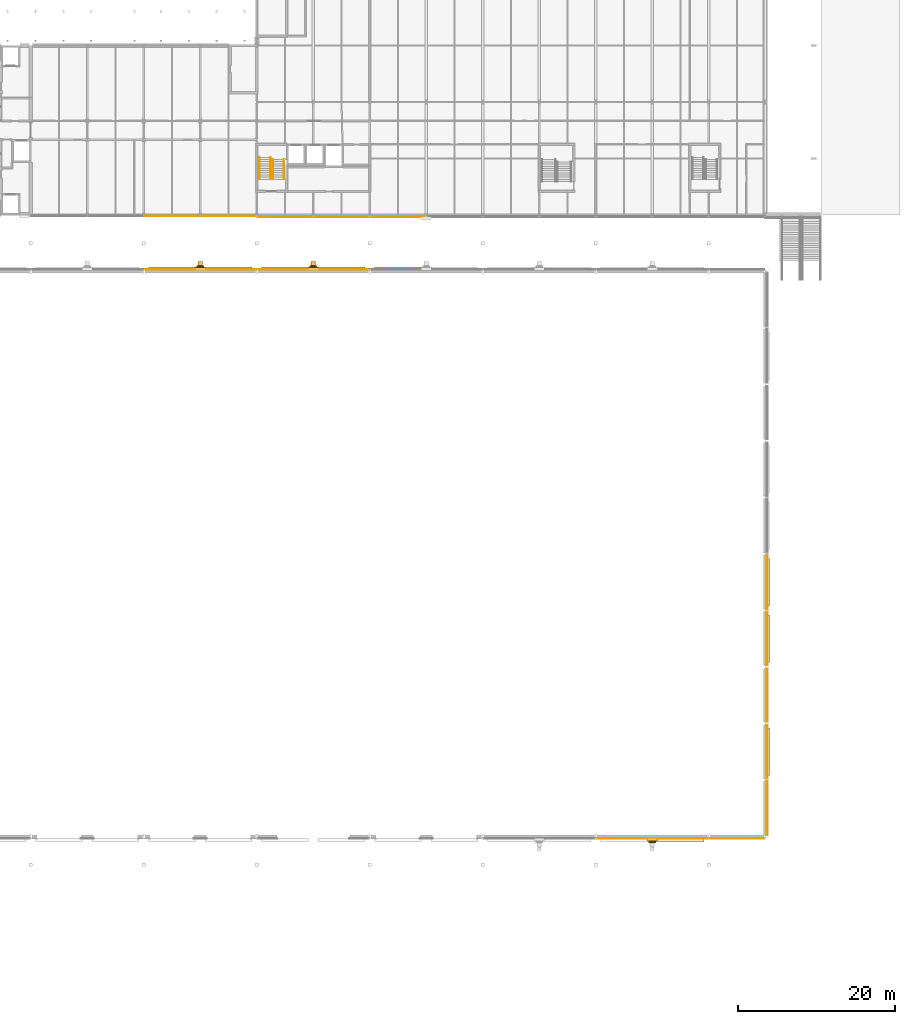
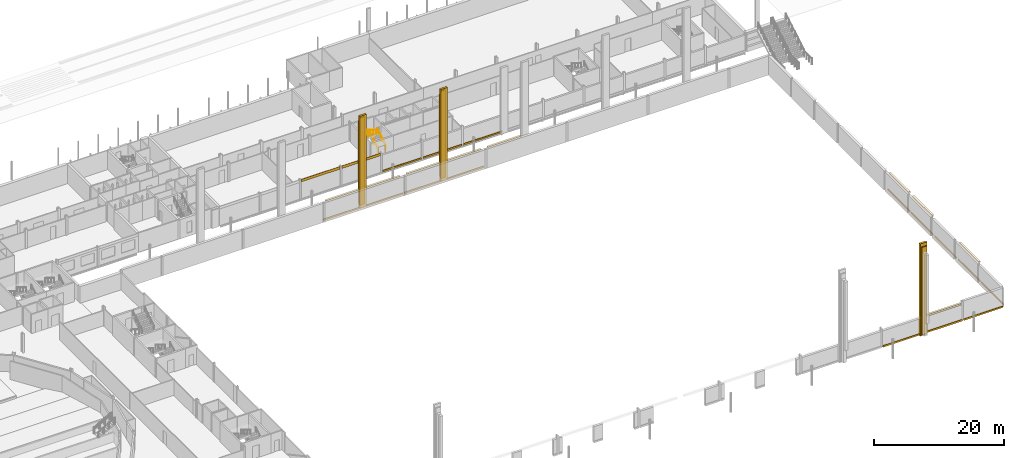
# One storey, part 84 of 90: 31 coverings, 4 railings.
"""IFC4 building model written with IfcOpenShell, lengths in metres."""

from ifc_helpers import new_model, si_unit, direction, frame, origin, origin_2d, place, context, subcontext, project, spatial, rectangle, circle, extrude, material, layer, layer_set, type_object, element, save


model = new_model("IFC4")

# Units and contexts
model_context = context("Model", 3, precision=1e-05, world=origin(), true_north=direction((0.0, 1.0)))
body_context = subcontext(model_context, "Body", "Model", "MODEL_VIEW")
ifc_project = project(units=[si_unit("LENGTHUNIT", "METRE"), si_unit("AREAUNIT", "SQUARE_METRE"), si_unit("VOLUMEUNIT", "CUBIC_METRE"), si_unit("PLANEANGLEUNIT", "RADIAN"), si_unit("MASSUNIT", "GRAM", prefix="KILO")], contexts=[model_context])

# Site, building, storey
site_placement = place(None, origin())
site = spatial("IfcSite", under=ifc_project, at=site_placement, CompositionType="ELEMENT")
building_placement = place(site_placement, origin())
building = spatial("IfcBuilding", under=site, at=building_placement, Name="Kupolbacken Congress Centre", CompositionType="ELEMENT")
storey_placement = place(building_placement, frame((0.0, 0.0, 3.60009765625)))
storey = spatial("IfcBuildingStorey", under=building, at=storey_placement, Name="L01", CompositionType="ELEMENT", Elevation=3.60009765625)

# Coverings
ifc_material_1 = material(Name="Limestone cladding", Category="masonry")
ifc_layer_1 = layer(ifc_material_1, 0.1201171875)
ifc_layer_set_1 = layer_set([ifc_layer_1], Name="Limestone cladding")
covering_type_1 = type_object("IfcCoveringType", Name="CV1 limestone cladding band 120", PredefinedType="CLADDING", material=ifc_layer_set_1)
for number, where, z_axis, x_axis, name in (
    (1, (154.800048828125, 122.18994140625, 0.0), (0.0, 0.0, 1.0), (1.0, 0.0, 0.0), "E/B/S/L01/117/band"),
    (2, (140.39990234375, 122.18994140625, 0.0), (0.0, 0.0, 1.0), (1.0, 0.0, 0.0), "E/BF/S/L01/128/band"),
    (3, (147.60009765625, 122.18994140625, 0.0), (0.0, 0.0, 1.0), (1.0, 0.0, 0.0), "E/BF/S/L01/129/band"),
):
    element("IfcCovering", number, at=place(storey_placement, frame(where, z_axis=z_axis, x_axis=x_axis)), inside=storey, type_object=covering_type_1, Name=name, PredefinedType="CLADDING", context=body_context, shape_type="SweptSolid", body=[
        extrude(rectangle(XDim=6.89990234375, YDim=0.1201171875, at=origin_2d()), origin(), (0.0, 0.0, 1.0), 0.300048828125),
    ])
covering_1_placement = place(storey_placement, frame((126.0, 122.282470703125, 3.119873046875), z_axis=(0.0, 0.0, 1.0), x_axis=(1.0, 0.0, 0.0)))
element("IfcCovering", 4, at=covering_1_placement, inside=storey, type_object=covering_type_1, Name="E/T/S/L01/012/band", PredefinedType="CLADDING", context=body_context, shape_type="SweptSolid", body=[
    extrude(rectangle(XDim=6.89306640625, YDim=0.06494140625, at=origin_2d()), origin(), (0.0, 0.0, 1.0), 0.47998046875),
])
covering_2_placement = place(storey_placement, frame((133.20166015625, 122.282470703125, 3.119873046875), z_axis=(0.0, 0.0, 1.0), x_axis=(1.0, 0.0, 0.0)))
element("IfcCovering", 5, at=covering_2_placement, inside=storey, type_object=covering_type_1, Name="E/T/S/L01/013/band", PredefinedType="CLADDING", context=body_context, shape_type="SweptSolid", body=[
    extrude(rectangle(XDim=6.896484375, YDim=0.06494140625, at=origin_2d()), origin(), (0.0, 0.0, 1.0), 0.47998046875),
])
ifc_material_2 = material(Name="Brick cladding", Category="masonry")
ifc_layer_2 = layer(ifc_material_2, 0.10791015625)
ifc_layer_set_2 = layer_set([ifc_layer_2], Name="Brick cladding")
covering_type_2 = type_object("IfcCoveringType", Name="CV2 brick cladding band 108", PredefinedType="CLADDING", material=ifc_layer_set_2)
covering_3_placement = place(storey_placement, frame((201.864013671875, 46.800048828125, 0.0), z_axis=(0.0, 0.0, 1.0), x_axis=(0.0, 1.0, 0.0)))
element("IfcCovering", 6, at=covering_3_placement, inside=storey, type_object=covering_type_2, Name="E/H/E/L01/152/band", PredefinedType="CLADDING", context=body_context, shape_type="SweptSolid", body=[
    extrude(rectangle(XDim=6.909912109375, YDim=0.10791015625, at=origin_2d()), origin(), (0.0, 0.0, 1.0), 0.300048828125),
])
covering_4_placement = place(storey_placement, frame((201.864013671875, 53.949951171875, 0.0), z_axis=(0.0, 0.0, 1.0), x_axis=(0.0, 1.0, 0.0)))
element("IfcCovering", 7, at=covering_4_placement, inside=storey, type_object=covering_type_2, Name="E/H/E/L01/153/band", PredefinedType="CLADDING", context=body_context, shape_type="SweptSolid", body=[
    extrude(rectangle(XDim=6.81005859375, YDim=0.10791015625, at=origin_2d()), origin(), (0.0, 0.0, 1.0), 0.300048828125),
])
covering_5_placement = place(storey_placement, frame((201.864013671875, 61.199951171875, 0.0), z_axis=(0.0, 0.0, 1.0), x_axis=(0.0, 1.0, 0.0)))
element("IfcCovering", 8, at=covering_5_placement, inside=storey, type_object=covering_type_2, Name="E/H/E/L01/154/band", PredefinedType="CLADDING", context=body_context, shape_type="SweptSolid", body=[
    extrude(rectangle(XDim=6.7099609375, YDim=0.10791015625, at=origin_2d()), origin(), (0.0, 0.0, 1.0), 0.300048828125),
])
covering_6_placement = place(storey_placement, frame((201.864013671875, 68.449951171875, 0.0), z_axis=(0.0, 0.0, 1.0), x_axis=(0.0, 1.0, 0.0)))
element("IfcCovering", 9, at=covering_6_placement, inside=storey, type_object=covering_type_2, Name="E/H/E/L01/155/band", PredefinedType="CLADDING", context=body_context, shape_type="SweptSolid", body=[
    extrude(rectangle(XDim=6.81005859375, YDim=0.10791015625, at=origin_2d()), origin(), (0.0, 0.0, 1.0), 0.300048828125),
])
covering_7_placement = place(storey_placement, frame((201.864013671875, 75.60009765625, 0.0), z_axis=(0.0, 0.0, 1.0), x_axis=(0.0, 1.0, 0.0)))
element("IfcCovering", 10, at=covering_7_placement, inside=storey, type_object=covering_type_2, Name="E/H/E/L01/156/band", PredefinedType="CLADDING", context=body_context, shape_type="SweptSolid", body=[
    extrude(rectangle(XDim=6.909912109375, YDim=0.10791015625, at=origin_2d()), origin(), (0.0, 0.0, 1.0), 0.300048828125),
])
for number, where, z_axis, x_axis, name in (
    (11, (144.0, 115.464111328125, 0.0), (0.0, 0.0, 1.0), (-1.0, 0.0, 0.0), "E/H/N/L01/166/band"),
    (12, (129.60009765625, 115.464111328125, 0.0), (0.0, 0.0, 1.0), (-1.0, 0.0, 0.0), "E/H/N/L01/167/band"),
    (13, (187.199951171875, 42.93603515625, 0.0), (0.0, 0.0, 1.0), (1.0, 0.0, 0.0), "E/H/S/L01/185/band"),
):
    element("IfcCovering", number, at=place(storey_placement, frame(where, z_axis=z_axis, x_axis=x_axis)), inside=storey, type_object=covering_type_2, Name=name, PredefinedType="CLADDING", context=body_context, shape_type="SweptSolid", body=[
        extrude(rectangle(XDim=14.10009765625, YDim=0.10791015625, at=origin_2d()), origin(), (0.0, 0.0, 1.0), 0.300048828125),
    ])
covering_8_placement = place(storey_placement, frame((198.0, 42.93603515625, 0.0), z_axis=(0.0, 0.0, 1.0), x_axis=(1.0, 0.0, 0.0)))
element("IfcCovering", 14, at=covering_8_placement, inside=storey, type_object=covering_type_2, Name="E/H/S/L01/186/band", PredefinedType="CLADDING", context=body_context, shape_type="SweptSolid", body=[
    extrude(rectangle(XDim=6.89990234375, YDim=0.10791015625, at=origin_2d()), origin(), (0.0, 0.0, 1.0), 0.300048828125),
])
ifc_material_3 = material(Name="Limestone cladding", Category="masonry")
ifc_layer_3 = layer(ifc_material_3, 0.35009765625)
ifc_layer_set_3 = layer_set([ifc_layer_3], Name="Limestone cladding")
covering_type_3 = type_object("IfcCoveringType", Name="CV3 limestone pilaster strip 350", PredefinedType="CLADDING", material=ifc_layer_set_3)
for number, where, z_axis, x_axis, name in (
    (15, (187.199951171875, 42.764892578125, 0.0), (0.0, 0.0, 1.0), (1.0, 0.0, 0.0), "F/H/S/pil/14/0"),
    (16, (129.60009765625, 115.5849609375, 0.0), (0.0, 0.0, 1.0), (1.0, 0.0, 0.0), "F/H/N/pil/06/0"),
    (17, (144.0, 115.5849609375, 0.0), (0.0, 0.0, 1.0), (1.0, 0.0, 0.0), "F/H/N/pil/08/0"),
):
    element("IfcCovering", number, at=place(storey_placement, frame(where, z_axis=z_axis, x_axis=x_axis)), inside=storey, type_object=covering_type_3, Name=name, PredefinedType="CLADDING", context=body_context, shape_type="SweptSolid", body=[
        extrude(rectangle(XDim=1.199951171875, YDim=0.35009765625, at=origin_2d()), origin(), (0.0, 0.0, 1.0), 17.3349609375),
    ])
for number, where, z_axis, x_axis, name in (
    (18, (190.800048828125, 42.764892578125, 3.2998046875), (0.0, 0.0, 1.0), (1.0, 0.0, 0.0), "F/HR/H/S/string/7.2/14/0"),
    (19, (126.0, 115.5849609375, 3.2998046875), (0.0, 0.0, 1.0), (1.0, 0.0, 0.0), "F/HR/H/N/string/7.2/05/0"),
    (20, (133.199951171875, 115.5849609375, 3.2998046875), (0.0, 0.0, 1.0), (1.0, 0.0, 0.0), "F/HR/H/N/string/7.2/06/0"),
    (21, (140.39990234375, 115.5849609375, 3.2998046875), (0.0, 0.0, 1.0), (1.0, 0.0, 0.0), "F/HR/H/N/string/7.2/07/0"),
    (22, (147.60009765625, 115.5849609375, 3.2998046875), (0.0, 0.0, 1.0), (1.0, 0.0, 0.0), "F/HR/H/N/string/7.2/08/0"),
    (23, (154.800048828125, 115.5849609375, 3.2998046875), (0.0, 0.0, 1.0), (1.0, 0.0, 0.0), "F/HR/H/N/string/7.2/09/0"),
    (24, (201.985107421875, 54.0, 3.2998046875), (0.0, 0.0, 1.0), (0.0, 1.0, 0.0), "F/HR/H/E/string/7.2/01/0"),
    (25, (201.985107421875, 68.39990234375, 3.2998046875), (0.0, 0.0, 1.0), (0.0, 1.0, 0.0), "F/HR/H/E/string/7.2/03/0"),
    (26, (201.985107421875, 75.60009765625, 3.2998046875), (0.0, 0.0, 1.0), (0.0, 1.0, 0.0), "F/HR/H/E/string/7.2/04/0"),
):
    element("IfcCovering", number, at=place(storey_placement, frame(where, z_axis=z_axis, x_axis=x_axis)), inside=storey, type_object=covering_type_3, Name=name, PredefinedType="CLADDING", context=body_context, shape_type="SweptSolid", body=[
        extrude(rectangle(XDim=6.0, YDim=0.35009765625, at=origin_2d()), origin(), (0.0, 0.0, 1.0), 0.300048828125),
    ])
ifc_material_4 = material(Name="Limestone cladding", Category="masonry")
ifc_layer_4 = layer(ifc_material_4, 0.5)
ifc_layer_set_4 = layer_set([ifc_layer_4], Name="Limestone cladding")
covering_type_4 = type_object("IfcCoveringType", Name="CV8 limestone drum pier 500", PredefinedType="CLADDING", material=ifc_layer_set_4)
for number, where, z_axis, x_axis, name in (
    (27, (129.60009765625, 116.2099609375, 0.2998046875), (0.0, 0.0, 1.0), (1.0, 0.0, 0.0), "F/HR/H/N/butt/06-0/0"),
    (28, (144.0, 116.2099609375, 0.2998046875), (0.0, 0.0, 1.0), (1.0, 0.0, 0.0), "F/HR/H/N/butt/08-0/0"),
):
    element("IfcCovering", number, at=place(storey_placement, frame(where, z_axis=z_axis, x_axis=x_axis)), inside=storey, type_object=covering_type_4, Name=name, PredefinedType="CLADDING", context=body_context, shape_type="SweptSolid", body=[
        extrude(rectangle(XDim=0.60009765625, YDim=0.5, at=origin_2d()), origin(), (0.0, 0.0, 1.0), 15.485107421875),
    ])
ifc_material_5 = material(Name="Limestone cladding", Category="masonry")
ifc_layer_5 = layer(ifc_material_5, 0.199951171875)
ifc_layer_set_5 = layer_set([ifc_layer_5], Name="Limestone cladding")
covering_type_5 = type_object("IfcCoveringType", Name="CV9 limestone drum arch frame 200", PredefinedType="CLADDING", material=ifc_layer_set_5)
for number, where, z_axis, x_axis, name in (
    (29, (187.199951171875, 42.489990234375, 0.2998046875), (0.0, 0.0, 1.0), (1.0, 0.0, 0.0), "F/HR/H/S/rib/14-0/0"),
    (30, (129.60009765625, 115.860107421875, 0.2998046875), (0.0, 0.0, 1.0), (1.0, 0.0, 0.0), "F/HR/H/N/rib/06-0/0"),
    (31, (144.0, 115.860107421875, 0.2998046875), (0.0, 0.0, 1.0), (1.0, 0.0, 0.0), "F/HR/H/N/rib/08-0/0"),
):
    element("IfcCovering", number, at=place(storey_placement, frame(where, z_axis=z_axis, x_axis=x_axis)), inside=storey, type_object=covering_type_5, Name=name, PredefinedType="CLADDING", context=body_context, shape_type="SweptSolid", body=[
        extrude(rectangle(XDim=0.89990234375, YDim=0.199951171875, at=origin_2d()), origin(), (0.0, 0.0, 1.0), 16.43505859375),
    ])

# Railings
ifc_material_6 = material(Name="Steel S235", Category="steel")
railing_type = type_object("IfcRailingType", Name="RL3 handrail wall-mounted 900", PredefinedType="HANDRAIL", material=ifc_material_6)
for number, where, name in (
    (32, (138.85009765625, 126.955078125, 0.17138671875), "C/stair/BS1/L01/HR1L"),
    (33, (140.25, 126.955078125, 0.17138671875), "C/stair/BS1/L01/HR1R"),
):
    element("IfcRailing", number, at=place(storey_placement, frame(where)), inside=storey, type_object=railing_type, Name=name, PredefinedType="HANDRAIL", context=body_context, shape_type="SweptSolid", body=[
        extrude(circle(Radius=0.02392578125, at=origin_2d()), frame((0.0, 0.0, 0.8759765625), z_axis=(0.0, 0.852873080145, 0.522118290393), x_axis=(-1.0, 0.0, 0.0)), (0.0, 0.0, 1.0), 2.954833984375),
        extrude(circle(Radius=0.02099609375, at=origin_2d()), origin(), (0.0, 0.0, 1.0), 0.851806640625),
        extrude(circle(Radius=0.02099609375, at=origin_2d()), frame((0.0, 1.260009765625, 0.771484375)), (0.0, 0.0, 1.0), 0.851806640625),
        extrude(circle(Radius=0.02099609375, at=origin_2d()), frame((0.0, 2.52001953125, 1.542724609375)), (0.0, 0.0, 1.0), 0.851806640625),
    ])
for number, where, name in (
    (34, (138.550048828125, 129.7548828125, 1.885498046875), "C/stair/BS1/L01/HR2L"),
    (35, (137.14990234375, 129.7548828125, 1.885498046875), "C/stair/BS1/L01/HR2R"),
):
    element("IfcRailing", number, at=place(storey_placement, frame(where)), inside=storey, type_object=railing_type, Name=name, PredefinedType="HANDRAIL", context=body_context, shape_type="SweptSolid", body=[
        extrude(circle(Radius=0.02392578125, at=origin_2d()), frame((0.0, 0.0, 0.8759765625), z_axis=(0.0, -0.852825620865, 0.522195806567), x_axis=(1.0, 0.0, 0.0)), (0.0, 0.0, 1.0), 3.282958984375),
        extrude(circle(Radius=0.02099609375, at=origin_2d()), origin(), (0.0, 0.0, 1.0), 0.851806640625),
        extrude(circle(Radius=0.02099609375, at=origin_2d()), frame((0.0, -0.933349609375, 0.571533203125)), (0.0, 0.0, 1.0), 0.851806640625),
        extrude(circle(Radius=0.02099609375, at=origin_2d()), frame((0.0, -1.866455078125, 1.142822265625)), (0.0, 0.0, 1.0), 0.851806640625),
        extrude(circle(Radius=0.02099609375, at=origin_2d()), frame((0.0, -2.7998046875, 1.71435546875)), (0.0, 0.0, 1.0), 0.851806640625),
    ])

save(model, "model.ifc")
